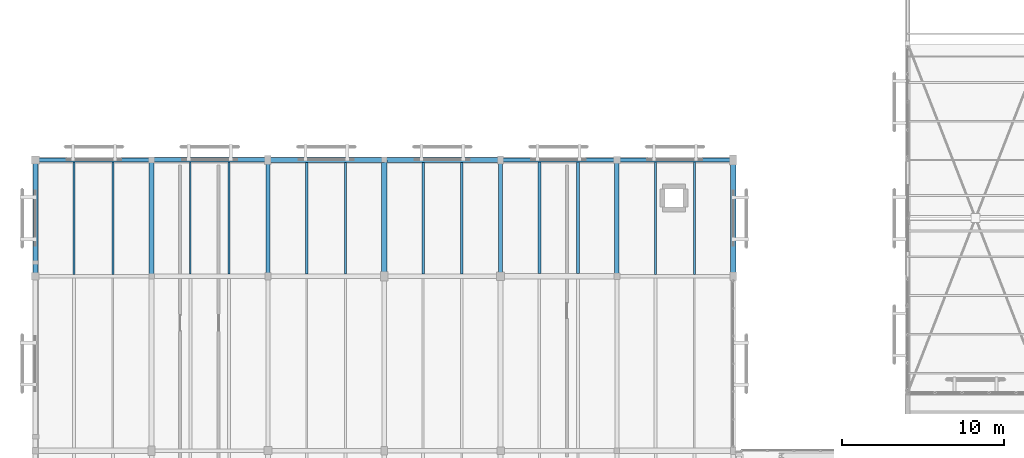
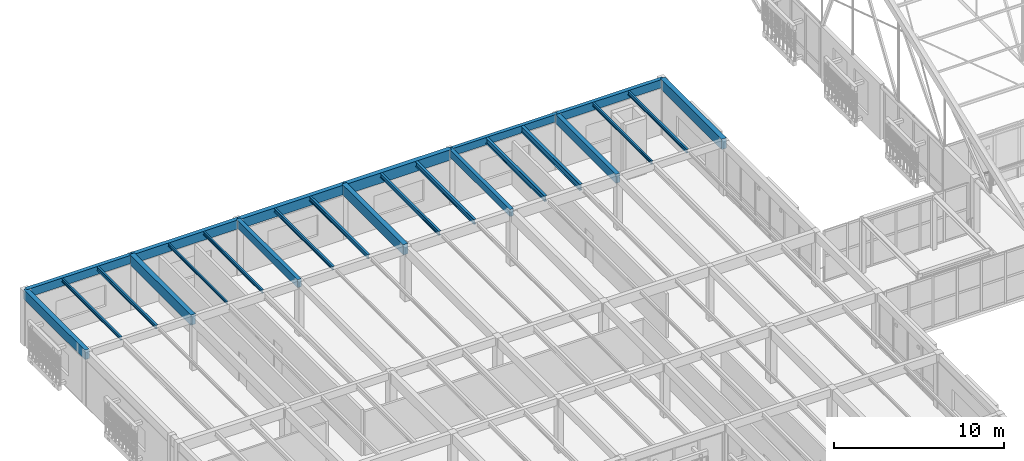
# One storey, part 76 of 217: 25 beams.
"""IFC4 building model written with IfcOpenShell, lengths in metres."""

from ifc_helpers import new_model, si_unit, direction, frame, origin, origin_2d, place, context, subcontext, project, spatial, rectangle, i_section, extrude, material, material_profile, profile_set, type_object, element, save


model = new_model("IFC4")

# Units and contexts
model_context = context("Model", 3, precision=1e-05, world=origin(), true_north=direction((0.0, 1.0)))
body_context = subcontext(model_context, "Body", "Model", "MODEL_VIEW")
ifc_project = project(units=[si_unit("LENGTHUNIT", "METRE"), si_unit("AREAUNIT", "SQUARE_METRE"), si_unit("VOLUMEUNIT", "CUBIC_METRE"), si_unit("PLANEANGLEUNIT", "RADIAN"), si_unit("MASSUNIT", "GRAM", prefix="KILO")], contexts=[model_context])

# Site, building, storey
site_placement = place(None, origin())
site = spatial("IfcSite", under=ifc_project, at=site_placement, CompositionType="ELEMENT")
building_placement = place(site_placement, origin())
building = spatial("IfcBuilding", under=site, at=building_placement, Name="Mazaris Harbour Polytechnic", CompositionType="ELEMENT")
storey_placement = place(building_placement, frame((0.0, 0.0, 9.60009765625)))
storey = spatial("IfcBuildingStorey", under=building, at=storey_placement, Name="L02", CompositionType="ELEMENT", Elevation=9.60009765625)

# Beams
ifc_material_1 = material(Name="Glulam GL32h", Category="wood")
ifc_material_profile_1 = material_profile(ifc_material_1, rectangle(XDim=0.239990234375, YDim=0.52001953125, at=origin_2d()), Name="RECT240x520")
ifc_profile_set_1 = profile_set([ifc_material_profile_1], Name="Glulam GL32h")
beam_type_1 = type_object("IfcBeamType", Name="Glulam Girder 240x520", PredefinedType="BEAM", material=ifc_profile_set_1)
beam_1_placement = place(storey_placement, frame((28.800048828125, 93.60009765625, 3.6298828125), z_axis=(0.0, 1.0, 0.0), x_axis=(-1.0, 0.0, 0.0)))
element("IfcBeam", 1, at=beam_1_placement, inside=storey, type_object=beam_type_1, Name="V4 L02 Tie Girder 2020", PredefinedType="BEAM", context=body_context, shape_type="SweptSolid", body=[
    extrude(rectangle(XDim=0.239990234375, YDim=0.52001953125, at=origin_2d()), origin(), (0.0, 0.0, 1.0), 7.199951171875),
])
ifc_material_2 = material(Name="Glulam GL32h", Category="wood")
ifc_material_profile_2 = material_profile(ifc_material_2, rectangle(XDim=0.239990234375, YDim=0.52001953125, at=origin_2d()), Name="RECT240x520")
ifc_profile_set_2 = profile_set([ifc_material_profile_2], Name="Glulam GL32h")
beam_type_2 = type_object("IfcBeamType", Name="Glulam Girder 240x520 Exterior", PredefinedType="BEAM", material=ifc_profile_set_2)
beam_2_placement = place(storey_placement, frame((28.800048828125, 100.800048828125, 3.6298828125), z_axis=(1.0, 0.0, 0.0), x_axis=(0.0, 1.0, 0.0)))
element("IfcBeam", 2, at=beam_2_placement, inside=storey, type_object=beam_type_2, Name="V4 L02 Girder 1965", PredefinedType="BEAM", context=body_context, shape_type="SweptSolid", body=[
    extrude(rectangle(XDim=0.239990234375, YDim=0.52001953125, at=origin_2d()), origin(), (0.0, 0.0, 1.0), 7.199951171875),
])
ifc_material_3 = material(Name="Glulam GL32h", Category="wood")
ifc_material_profile_3 = material_profile(ifc_material_3, rectangle(XDim=0.260009765625, YDim=0.580078125, at=origin_2d()), Name="RECT260x580")
ifc_profile_set_3 = profile_set([ifc_material_profile_3], Name="Glulam GL32h")
beam_type_3 = type_object("IfcBeamType", Name="Glulam Girder 260x580", PredefinedType="BEAM", material=ifc_profile_set_3)
beam_3_placement = place(storey_placement, frame((14.39990234375, 93.60009765625, 3.599853515625), z_axis=(0.0, 1.0, 0.0), x_axis=(-1.0, 0.0, 0.0)))
element("IfcBeam", 3, at=beam_3_placement, inside=storey, type_object=beam_type_3, Name="V4 L02 Tie Girder 2001", PredefinedType="BEAM", context=body_context, shape_type="SweptSolid", body=[
    extrude(rectangle(XDim=0.260009765625, YDim=0.580078125, at=origin_2d()), origin(), (0.0, 0.0, 1.0), 7.199951171875),
])
ifc_material_4 = material(Name="Glulam GL32h", Category="wood")
ifc_material_profile_4 = material_profile(ifc_material_4, rectangle(XDim=0.260009765625, YDim=0.580078125, at=origin_2d()), Name="RECT260x580")
ifc_profile_set_4 = profile_set([ifc_material_profile_4], Name="Glulam GL32h")
beam_type_4 = type_object("IfcBeamType", Name="Glulam Girder 260x580 Exterior", PredefinedType="BEAM", material=ifc_profile_set_4)
for number, where, z_axis, x_axis, name in (
    (4, (0.0, 100.800048828125, 3.599853515625), (1.0, 0.0, 0.0), (0.0, 1.0, 0.0), "V4 L02 Girder 1961"),
    (5, (36.0, 100.800048828125, 3.599853515625), (1.0, 0.0, 0.0), (0.0, 1.0, 0.0), "V4 L02 Girder 1966"),
):
    element("IfcBeam", number, at=place(storey_placement, frame(where, z_axis=z_axis, x_axis=x_axis)), inside=storey, type_object=beam_type_4, Name=name, PredefinedType="BEAM", context=body_context, shape_type="SweptSolid", body=[
        extrude(rectangle(XDim=0.260009765625, YDim=0.580078125, at=origin_2d()), origin(), (0.0, 0.0, 1.0), 7.199951171875),
    ])
ifc_material_5 = material(Name="Glulam GL32h", Category="wood")
ifc_material_profile_5 = material_profile(ifc_material_5, rectangle(XDim=0.280029296875, YDim=0.639892578125, at=origin_2d()), Name="RECT280x640")
ifc_profile_set_5 = profile_set([ifc_material_profile_5], Name="Glulam GL32h")
beam_type_5 = type_object("IfcBeamType", Name="Glulam Girder 280x640", PredefinedType="BEAM", material=ifc_profile_set_5)
beam_4_placement = place(storey_placement, frame((36.0, 93.60009765625, 3.56982421875), z_axis=(0.0, 1.0, 0.0), x_axis=(-1.0, 0.0, 0.0)))
element("IfcBeam", 6, at=beam_4_placement, inside=storey, type_object=beam_type_5, Name="V4 L02 Tie Girder 2032", PredefinedType="BEAM", context=body_context, shape_type="SweptSolid", body=[
    extrude(rectangle(XDim=0.280029296875, YDim=0.639892578125, at=origin_2d()), origin(), (0.0, 0.0, 1.0), 7.199951171875),
])
ifc_material_6 = material(Name="Glulam GL32h", Category="wood")
ifc_material_profile_6 = material_profile(ifc_material_6, rectangle(XDim=0.280029296875, YDim=0.639892578125, at=origin_2d()), Name="RECT280x640")
ifc_profile_set_6 = profile_set([ifc_material_profile_6], Name="Glulam GL32h")
beam_type_6 = type_object("IfcBeamType", Name="Glulam Girder 280x640 Exterior", PredefinedType="BEAM", material=ifc_profile_set_6)
beam_5_placement = place(storey_placement, frame((7.199951171875, 100.800048828125, 3.56982421875), z_axis=(1.0, 0.0, 0.0), x_axis=(0.0, 1.0, 0.0)))
element("IfcBeam", 7, at=beam_5_placement, inside=storey, type_object=beam_type_6, Name="V4 L02 Girder 1962", PredefinedType="BEAM", context=body_context, shape_type="SweptSolid", body=[
    extrude(rectangle(XDim=0.280029296875, YDim=0.639892578125, at=origin_2d()), origin(), (0.0, 0.0, 1.0), 7.199951171875),
])
ifc_material_7 = material(Name="Glulam GL32h", Category="wood")
ifc_material_profile_7 = material_profile(ifc_material_7, rectangle(XDim=0.300048828125, YDim=0.679931640625, at=origin_2d()), Name="RECT300x680")
ifc_profile_set_7 = profile_set([ifc_material_profile_7], Name="Glulam GL32h")
beam_type_7 = type_object("IfcBeamType", Name="Glulam Girder 300x680 Exterior", PredefinedType="BEAM", material=ifc_profile_set_7)
beam_6_placement = place(storey_placement, frame((14.39990234375, 100.800048828125, 3.5498046875), z_axis=(1.0, 0.0, 0.0), x_axis=(0.0, 1.0, 0.0)))
element("IfcBeam", 8, at=beam_6_placement, inside=storey, type_object=beam_type_7, Name="V4 L02 Girder 1963", PredefinedType="BEAM", context=body_context, shape_type="SweptSolid", body=[
    extrude(rectangle(XDim=0.300048828125, YDim=0.679931640625, at=origin_2d()), origin(), (0.0, 0.0, 1.0), 7.2001953125),
])
beam_7_placement = place(storey_placement, frame((0.0, 93.60009765625, 3.5498046875), z_axis=(0.0, 1.0, 0.0), x_axis=(-1.0, 0.0, 0.0)))
element("IfcBeam", 9, at=beam_7_placement, inside=storey, type_object=beam_type_7, Name="V4 L02 Tie Girder 1978", PredefinedType="BEAM", context=body_context, shape_type="SweptSolid", body=[
    extrude(rectangle(XDim=0.300048828125, YDim=0.679931640625, at=origin_2d()), origin(), (0.0, 0.0, 1.0), 7.199951171875),
])
ifc_material_8 = material(Name="Glulam GL32h", Category="wood")
ifc_material_profile_8 = material_profile(ifc_material_8, rectangle(XDim=0.320068359375, YDim=0.739990234375, at=origin_2d()), Name="RECT320x740")
ifc_profile_set_8 = profile_set([ifc_material_profile_8], Name="Glulam GL32h")
beam_type_8 = type_object("IfcBeamType", Name="Glulam Girder 320x740", PredefinedType="BEAM", material=ifc_profile_set_8)
for number, where, z_axis, x_axis, name in (
    (10, (7.199951171875, 93.60009765625, 3.52001953125), (0.0, 1.0, 0.0), (-1.0, 0.0, 0.0), "V4 L02 Tie Girder 1989"),
    (11, (21.60009765625, 93.60009765625, 3.52001953125), (0.0, 1.0, 0.0), (-1.0, 0.0, 0.0), "V4 L02 Tie Girder 2009"),
):
    element("IfcBeam", number, at=place(storey_placement, frame(where, z_axis=z_axis, x_axis=x_axis)), inside=storey, type_object=beam_type_8, Name=name, PredefinedType="BEAM", context=body_context, shape_type="SweptSolid", body=[
        extrude(rectangle(XDim=0.320068359375, YDim=0.739990234375, at=origin_2d()), origin(), (0.0, 0.0, 1.0), 7.199951171875),
    ])
ifc_material_9 = material(Name="Glulam GL32h", Category="wood")
ifc_material_profile_9 = material_profile(ifc_material_9, rectangle(XDim=0.320068359375, YDim=0.739990234375, at=origin_2d()), Name="RECT320x740")
ifc_profile_set_9 = profile_set([ifc_material_profile_9], Name="Glulam GL32h")
beam_type_9 = type_object("IfcBeamType", Name="Glulam Girder 320x740 Exterior", PredefinedType="BEAM", material=ifc_profile_set_9)
for number, where, z_axis, x_axis, name in (
    (12, (21.60009765625, 100.800048828125, 3.52001953125), (1.0, 0.0, 0.0), (0.0, 1.0, 0.0), "V4 L02 Girder 1964"),
    (13, (43.199951171875, 93.60009765625, 3.52001953125), (0.0, 1.0, 0.0), (-1.0, 0.0, 0.0), "V4 L02 Tie Girder 2044"),
):
    element("IfcBeam", number, at=place(storey_placement, frame(where, z_axis=z_axis, x_axis=x_axis)), inside=storey, type_object=beam_type_9, Name=name, PredefinedType="BEAM", context=body_context, shape_type="SweptSolid", body=[
        extrude(rectangle(XDim=0.320068359375, YDim=0.739990234375, at=origin_2d()), origin(), (0.0, 0.0, 1.0), 7.199951171875),
    ])
ifc_material_10 = material(Name="Steel S355", Category="steel")
ifc_material_profile_10 = material_profile(ifc_material_10, i_section(OverallWidth=0.10009765625, OverallDepth=0.199951171875, WebThickness=0.005615234375, FlangeThickness=0.008544921875, FilletRadius=0.011962890625, at=origin_2d()), Name="IPE 200")
ifc_profile_set_10 = profile_set([ifc_material_profile_10], Name="Steel S355")
beam_type_10 = type_object("IfcBeamType", Name="Steel Joist IPE200", PredefinedType="JOIST", material=ifc_profile_set_10)
beam_8_placement = place(storey_placement, frame((9.60009765625, 93.72998046875, 3.789794921875), z_axis=(0.0, 1.0, 0.0), x_axis=(-1.0, 0.0, 0.0)))
element("IfcBeam", 14, at=beam_8_placement, inside=storey, type_object=beam_type_10, Name="V4 L02 Floor Joist 2086", PredefinedType="JOIST", context=body_context, shape_type="SweptSolid", body=[
    extrude(i_section(OverallWidth=0.10009765625, OverallDepth=0.199951171875, WebThickness=0.005615234375, FlangeThickness=0.008544921875, FilletRadius=0.011962890625, at=origin_2d()), origin(), (0.0, 0.0, 1.0), 6.929931640625),
])
ifc_material_11 = material(Name="Steel S355", Category="steel")
ifc_material_profile_11 = material_profile(ifc_material_11, i_section(OverallWidth=0.1201171875, OverallDepth=0.239990234375, WebThickness=0.006103515625, FlangeThickness=0.009765625, FilletRadius=0.014892578125, at=origin_2d()), Name="IPE 240")
ifc_profile_set_11 = profile_set([ifc_material_profile_11], Name="Steel S355")
beam_type_11 = type_object("IfcBeamType", Name="Steel Joist IPE240", PredefinedType="JOIST", material=ifc_profile_set_11)
beam_9_placement = place(storey_placement, frame((2.39990234375, 93.719970703125, 3.77001953125), z_axis=(0.0, 1.0, 0.0), x_axis=(-1.0, 0.0, 0.0)))
element("IfcBeam", 15, at=beam_9_placement, inside=storey, type_object=beam_type_11, Name="V4 L02 Floor Joist 2066", PredefinedType="JOIST", context=body_context, shape_type="SweptSolid", body=[
    extrude(i_section(OverallWidth=0.1201171875, OverallDepth=0.239990234375, WebThickness=0.006103515625, FlangeThickness=0.009765625, FilletRadius=0.014892578125, at=origin_2d()), origin(), (0.0, 0.0, 1.0), 6.949951171875),
])
beam_10_placement = place(storey_placement, frame((12.0, 93.72998046875, 3.77001953125), z_axis=(0.0, 1.0, 0.0), x_axis=(-1.0, 0.0, 0.0)))
element("IfcBeam", 16, at=beam_10_placement, inside=storey, type_object=beam_type_11, Name="V4 L02 Floor Joist 2087", PredefinedType="JOIST", context=body_context, shape_type="SweptSolid", body=[
    extrude(i_section(OverallWidth=0.1201171875, OverallDepth=0.239990234375, WebThickness=0.006103515625, FlangeThickness=0.009765625, FilletRadius=0.014892578125, at=origin_2d()), origin(), (0.0, 0.0, 1.0), 6.929931640625),
])
beam_11_placement = place(storey_placement, frame((38.39990234375, 93.719970703125, 3.77001953125), z_axis=(0.0, 1.0, 0.0), x_axis=(-1.0, 0.0, 0.0)))
element("IfcBeam", 17, at=beam_11_placement, inside=storey, type_object=beam_type_11, Name="V4 L02 Floor Joist 2164", PredefinedType="JOIST", context=body_context, shape_type="SweptSolid", body=[
    extrude(i_section(OverallWidth=0.1201171875, OverallDepth=0.239990234375, WebThickness=0.006103515625, FlangeThickness=0.009765625, FilletRadius=0.014892578125, at=origin_2d()), origin(), (0.0, 0.0, 1.0), 6.949951171875),
])
ifc_material_12 = material(Name="Steel S355", Category="steel")
ifc_material_profile_12 = material_profile(ifc_material_12, i_section(OverallWidth=0.135009765625, OverallDepth=0.27001953125, WebThickness=0.006591796875, FlangeThickness=0.01025390625, FilletRadius=0.014892578125, at=origin_2d()), Name="IPE 270")
ifc_profile_set_12 = profile_set([ifc_material_profile_12], Name="Steel S355")
beam_type_12 = type_object("IfcBeamType", Name="Steel Joist IPE270", PredefinedType="JOIST", material=ifc_profile_set_12)
beam_12_placement = place(storey_placement, frame((4.800048828125, 93.719970703125, 3.7548828125), z_axis=(0.0, 1.0, 0.0), x_axis=(-1.0, 0.0, 0.0)))
element("IfcBeam", 18, at=beam_12_placement, inside=storey, type_object=beam_type_12, Name="V4 L02 Floor Joist 2067", PredefinedType="JOIST", context=body_context, shape_type="SweptSolid", body=[
    extrude(i_section(OverallWidth=0.135009765625, OverallDepth=0.27001953125, WebThickness=0.006591796875, FlangeThickness=0.01025390625, FilletRadius=0.014892578125, at=origin_2d()), origin(), (0.0, 0.0, 1.0), 6.949951171875),
])
beam_13_placement = place(storey_placement, frame((16.800048828125, 93.739990234375, 3.7548828125), z_axis=(0.0, 1.0, 0.0), x_axis=(-1.0, 0.0, 0.0)))
element("IfcBeam", 19, at=beam_13_placement, inside=storey, type_object=beam_type_12, Name="V4 L02 Floor Joist 2102", PredefinedType="JOIST", context=body_context, shape_type="SweptSolid", body=[
    extrude(i_section(OverallWidth=0.135009765625, OverallDepth=0.27001953125, WebThickness=0.006591796875, FlangeThickness=0.01025390625, FilletRadius=0.014892578125, at=origin_2d()), origin(), (0.0, 0.0, 1.0), 6.909912109375),
])
beam_14_placement = place(storey_placement, frame((40.800048828125, 93.719970703125, 3.7548828125), z_axis=(0.0, 1.0, 0.0), x_axis=(-1.0, 0.0, 0.0)))
element("IfcBeam", 20, at=beam_14_placement, inside=storey, type_object=beam_type_12, Name="V4 L02 Floor Joist 2165", PredefinedType="JOIST", context=body_context, shape_type="SweptSolid", body=[
    extrude(i_section(OverallWidth=0.135009765625, OverallDepth=0.27001953125, WebThickness=0.006591796875, FlangeThickness=0.01025390625, FilletRadius=0.014892578125, at=origin_2d()), origin(), (0.0, 0.0, 1.0), 6.949951171875),
])
ifc_material_13 = material(Name="Steel S355", Category="steel")
ifc_material_profile_13 = material_profile(ifc_material_13, i_section(OverallWidth=0.14990234375, OverallDepth=0.300048828125, WebThickness=0.007080078125, FlangeThickness=0.0107421875, FilletRadius=0.014892578125, at=origin_2d()), Name="IPE 300")
ifc_profile_set_13 = profile_set([ifc_material_profile_13], Name="Steel S355")
beam_type_13 = type_object("IfcBeamType", Name="Steel Joist IPE300", PredefinedType="JOIST", material=ifc_profile_set_13)
beam_15_placement = place(storey_placement, frame((19.199951171875, 93.739990234375, 3.739990234375), z_axis=(0.0, 1.0, 0.0), x_axis=(-1.0, 0.0, 0.0)))
element("IfcBeam", 21, at=beam_15_placement, inside=storey, type_object=beam_type_13, Name="V4 L02 Floor Joist 2103", PredefinedType="JOIST", context=body_context, shape_type="SweptSolid", body=[
    extrude(i_section(OverallWidth=0.14990234375, OverallDepth=0.300048828125, WebThickness=0.007080078125, FlangeThickness=0.0107421875, FilletRadius=0.014892578125, at=origin_2d()), origin(), (0.0, 0.0, 1.0), 6.909912109375),
])
beam_16_placement = place(storey_placement, frame((24.0, 93.75, 3.739990234375), z_axis=(0.0, 1.0, 0.0), x_axis=(-1.0, 0.0, 0.0)))
element("IfcBeam", 22, at=beam_16_placement, inside=storey, type_object=beam_type_13, Name="V4 L02 Floor Joist 2117", PredefinedType="JOIST", context=body_context, shape_type="SweptSolid", body=[
    extrude(i_section(OverallWidth=0.14990234375, OverallDepth=0.300048828125, WebThickness=0.007080078125, FlangeThickness=0.0107421875, FilletRadius=0.014892578125, at=origin_2d()), origin(), (0.0, 0.0, 1.0), 6.889892578125),
])
ifc_material_14 = material(Name="Steel S355", Category="steel")
ifc_material_profile_14 = material_profile(ifc_material_14, i_section(OverallWidth=0.169921875, OverallDepth=0.360107421875, WebThickness=0.008056640625, FlangeThickness=0.0126953125, FilletRadius=0.01806640625, at=origin_2d()), Name="IPE 360")
ifc_profile_set_14 = profile_set([ifc_material_profile_14], Name="Steel S355")
beam_type_14 = type_object("IfcBeamType", Name="Steel Joist IPE360", PredefinedType="JOIST", material=ifc_profile_set_14)
beam_17_placement = place(storey_placement, frame((26.39990234375, 93.75, 3.7099609375), z_axis=(0.0, 1.0, 0.0), x_axis=(-1.0, 0.0, 0.0)))
element("IfcBeam", 23, at=beam_17_placement, inside=storey, type_object=beam_type_14, Name="V4 L02 Floor Joist 2118", PredefinedType="JOIST", context=body_context, shape_type="SweptSolid", body=[
    extrude(i_section(OverallWidth=0.169921875, OverallDepth=0.360107421875, WebThickness=0.008056640625, FlangeThickness=0.0126953125, FilletRadius=0.01806640625, at=origin_2d()), origin(), (0.0, 0.0, 1.0), 6.889892578125),
])
ifc_material_15 = material(Name="Steel S355", Category="steel")
ifc_material_profile_15 = material_profile(ifc_material_15, i_section(OverallWidth=0.179931640625, OverallDepth=0.39990234375, WebThickness=0.008544921875, FlangeThickness=0.013427734375, FilletRadius=0.02099609375, at=origin_2d()), Name="IPE 400")
ifc_profile_set_15 = profile_set([ifc_material_profile_15], Name="Steel S355")
beam_type_15 = type_object("IfcBeamType", Name="Steel Joist IPE400", PredefinedType="JOIST", material=ifc_profile_set_15)
beam_18_placement = place(storey_placement, frame((31.199951171875, 93.760009765625, 3.68994140625), z_axis=(0.0, 1.0, 0.0), x_axis=(-1.0, 0.0, 0.0)))
element("IfcBeam", 24, at=beam_18_placement, inside=storey, type_object=beam_type_15, Name="V4 L02 Floor Joist 2140", PredefinedType="JOIST", context=body_context, shape_type="SweptSolid", body=[
    extrude(i_section(OverallWidth=0.179931640625, OverallDepth=0.39990234375, WebThickness=0.008544921875, FlangeThickness=0.013427734375, FilletRadius=0.02099609375, at=origin_2d()), origin(), (0.0, 0.0, 1.0), 6.919921875),
])
ifc_material_16 = material(Name="Steel S355", Category="steel")
ifc_material_profile_16 = material_profile(ifc_material_16, i_section(OverallWidth=0.18994140625, OverallDepth=0.449951171875, WebThickness=0.009521484375, FlangeThickness=0.0146484375, FilletRadius=0.02099609375, at=origin_2d()), Name="IPE 450")
ifc_profile_set_16 = profile_set([ifc_material_profile_16], Name="Steel S355")
beam_type_16 = type_object("IfcBeamType", Name="Steel Joist IPE450", PredefinedType="JOIST", material=ifc_profile_set_16)
beam_19_placement = place(storey_placement, frame((33.60009765625, 93.760009765625, 3.664794921875), z_axis=(0.0, 1.0, 0.0), x_axis=(-1.0, 0.0, 0.0)))
element("IfcBeam", 25, at=beam_19_placement, inside=storey, type_object=beam_type_16, Name="V4 L02 Floor Joist 2141", PredefinedType="JOIST", context=body_context, shape_type="SweptSolid", body=[
    extrude(i_section(OverallWidth=0.18994140625, OverallDepth=0.449951171875, WebThickness=0.009521484375, FlangeThickness=0.0146484375, FilletRadius=0.02099609375, at=origin_2d()), origin(), (0.0, 0.0, 1.0), 6.919921875),
])

save(model, "model.ifc")
